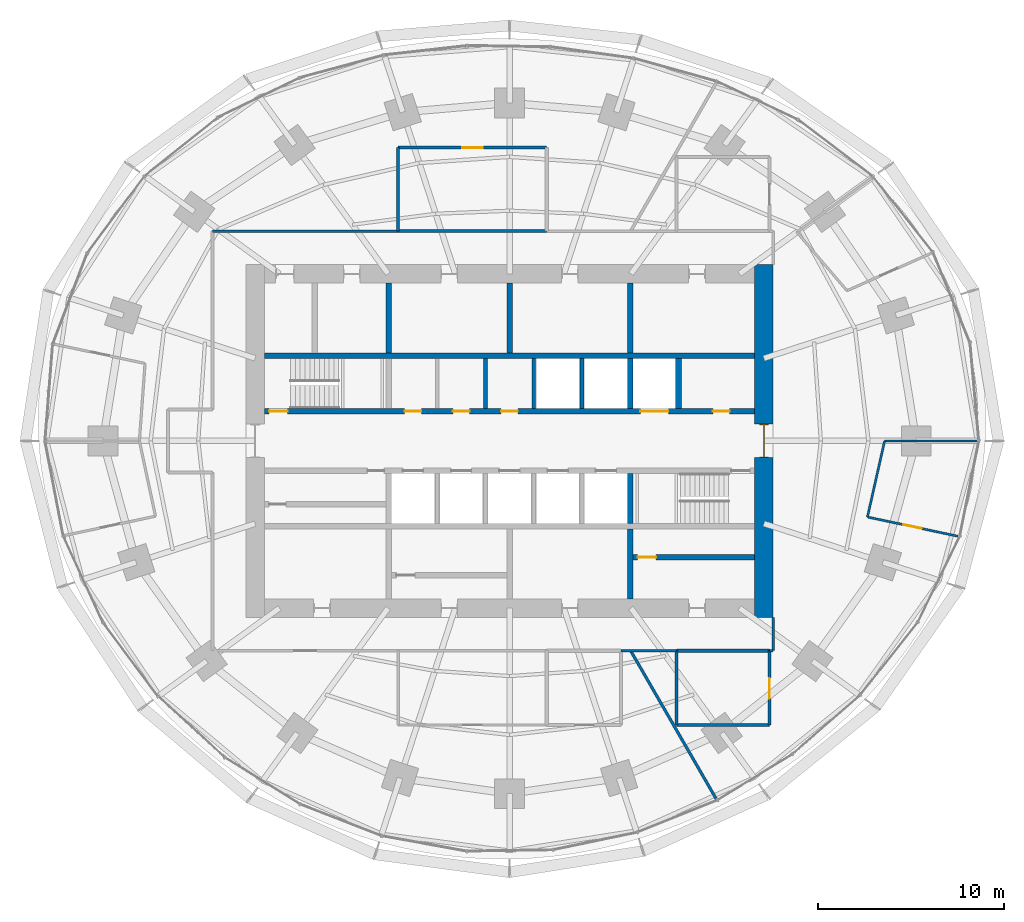
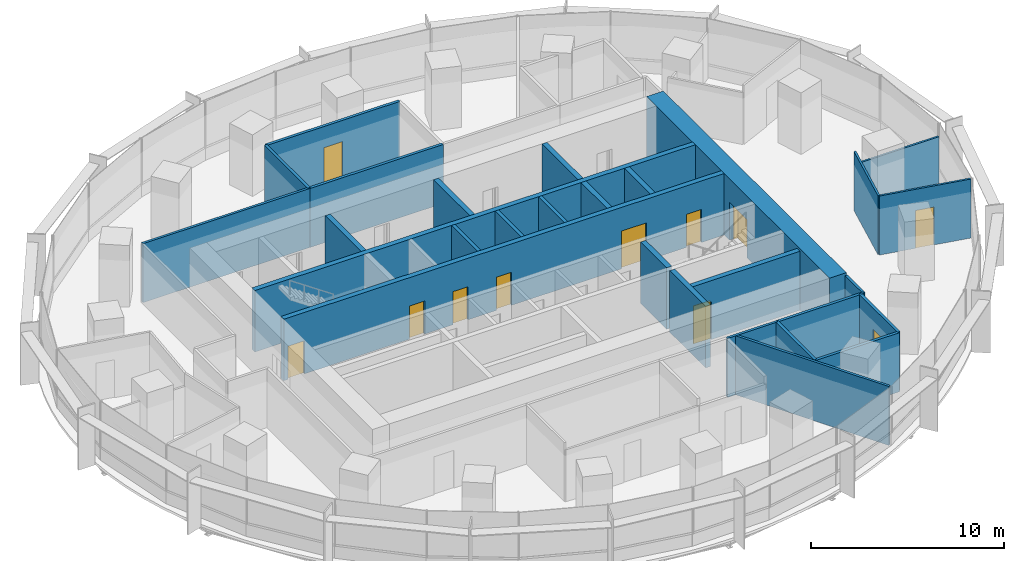
# One storey, part 11 of 14: 29 walls, 11 doors, 11 openings.
"""IFC4 building model written with IfcOpenShell, lengths in metres."""

from ifc_helpers import new_model, si_unit, direction, frame, frame_2d, origin, place, context, subcontext, project, spatial, rectangle, extrude, material, layer, layer_set, type_object, element, fill, save


model = new_model("IFC4")

# Units and contexts
model_context = context("Model", 3, precision=1e-05, world=origin(), true_north=direction((0.0, 1.0)))
body_context = subcontext(model_context, "Body", "Model", "MODEL_VIEW")
ifc_project = project(units=[si_unit("LENGTHUNIT", "METRE"), si_unit("AREAUNIT", "SQUARE_METRE"), si_unit("VOLUMEUNIT", "CUBIC_METRE"), si_unit("PLANEANGLEUNIT", "RADIAN"), si_unit("MASSUNIT", "GRAM", prefix="KILO")], contexts=[model_context])

# Site, building, storey
site_placement = place(None, origin())
site = spatial("IfcSite", under=ifc_project, at=site_placement, CompositionType="ELEMENT")
building_placement = place(site_placement, origin())
building = spatial("IfcBuilding", under=site, at=building_placement, Name="Marramba Exchange Tower", CompositionType="ELEMENT")
storey_placement = place(building_placement, frame((0.0, 0.0, 147.0)))
storey = spatial("IfcBuildingStorey", under=building, at=storey_placement, Name="L35", CompositionType="ELEMENT", Elevation=147.0)

# Walls
ifc_material_1 = material(Name="Plasterboard on staggered double steel studs, acoustic insulation", Category="steel")
ifc_layer_1 = layer(ifc_material_1, 0.169921875)
ifc_layer_set_1 = layer_set([ifc_layer_1], Name="Acoustic partition 170")
wall_type_1 = type_object("IfcWallType", Name="Acoustic partition 170", PredefinedType="PARTITIONING", material=ifc_layer_set_1)
wall_1_placement = place(storey_placement, frame((9.0, -11.300048828125, 0.0), z_axis=(0.0, 0.0, 1.0), x_axis=(0.0, -1.0, 0.0)))
element("IfcWall", 1, at=wall_1_placement, inside=storey, type_object=wall_type_1, Name="Acoustic partition L35 14", PredefinedType="PARTITIONING", context=body_context, shape_type="SweptSolid", body=[
    extrude(rectangle(XDim=4.0, YDim=0.169921875, at=frame_2d((2.0, 0.0))), origin(), (0.0, 0.0, 1.0), 3.739990234375),
])
for number, where, z_axis, x_axis, name in (
    (2, (9.0, -15.300048828125, 0.0), (0.0, 0.0, 1.0), (1.0, 0.0, 0.0), "Acoustic partition L35 15"),
    (3, (14.0, -11.300048828125, 0.0), (0.0, 0.0, 1.0), (-1.0, 0.0, 0.0), "Acoustic partition L35 16"),
):
    element("IfcWall", number, at=place(storey_placement, frame(where, z_axis=z_axis, x_axis=x_axis)), inside=storey, type_object=wall_type_1, Name=name, PredefinedType="PARTITIONING", context=body_context, shape_type="SweptSolid", body=[
        extrude(rectangle(XDim=5.0, YDim=0.169921875, at=frame_2d((2.5, 0.0))), origin(), (0.0, 0.0, 1.0), 3.739990234375),
    ])

# Wall, opening, door
wall_2_placement = place(storey_placement, frame((14.0, -15.300048828125, 0.0), z_axis=(0.0, 0.0, 1.0), x_axis=(0.0, 1.0, 0.0)))
wall_2 = element("IfcWall", 4, at=wall_2_placement, inside=storey, type_object=wall_type_1, Name="Acoustic partition L35 17", PredefinedType="PARTITIONING", context=body_context, shape_type="SweptSolid", body=[
    extrude(rectangle(XDim=4.0, YDim=0.169921875, at=frame_2d((2.0, 0.0))), origin(), (0.0, 0.0, 1.0), 3.739990234375),
])
opening_1_placement = place(wall_2_placement, frame((1.424072265625, 0.0, 0.0)))
opening_1 = element("IfcOpeningElement", 5, at=opening_1_placement, cuts=wall_2, Name="Opening D15", PredefinedType="OPENING", context=body_context, shape_type="SweptSolid", body=[
    extrude(rectangle(XDim=1.10009765625, YDim=2.39990234375, at=frame_2d((0.550048828125, 1.199951171875))), frame((0.0, 0.094970703125, 0.0), z_axis=(0.0, -1.0, 0.0), x_axis=(1.0, 0.0, 0.0)), (0.0, 0.0, 1.0), 0.18994140625),
])
ifc_material_2 = material(Name="Timber door", Category="wood")
door_type_1 = type_object("IfcDoorType", Name="Glazed meeting room door 1100x2400", OperationType="SINGLE_SWING_LEFT", PredefinedType="DOOR", material=ifc_material_2)
door_1_placement = place(opening_1_placement, origin())
door_1 = element("IfcDoor", 6, at=door_1_placement, inside=storey, type_object=door_type_1, Name="D15 Meeting Room 2 L35", OperationType="SINGLE_SWING_LEFT", OverallHeight=2.39990234375, OverallWidth=1.10009765625, PredefinedType="DOOR", context=body_context, shape_type="SweptSolid", body=[
    extrude(rectangle(XDim=1.10009765625, YDim=2.39990234375, at=frame_2d((0.550048828125, 1.199951171875))), frame((0.0, 0.02490234375, 0.0), z_axis=(0.0, -1.0, 0.0), x_axis=(1.0, 0.0, 0.0)), (0.0, 0.0, 1.0), 0.050048828125),
])
fill(opening_1, door_1)

wall_3_placement = place(storey_placement, frame((2.0, 15.800048828125, 0.0), z_axis=(0.0, 0.0, 1.0), x_axis=(-1.0, 0.0, 0.0)))
wall_3 = element("IfcWall", 7, at=wall_3_placement, inside=storey, type_object=wall_type_1, Name="Acoustic partition L35 35", PredefinedType="PARTITIONING", context=body_context, shape_type="SweptSolid", body=[
    extrude(rectangle(XDim=8.0, YDim=0.169921875, at=frame_2d((4.0, 0.0))), origin(), (0.0, 0.0, 1.0), 3.739990234375),
])
opening_2_placement = place(wall_3_placement, frame((3.449951171875, 0.0, 0.0)))
opening_2 = element("IfcOpeningElement", 8, at=opening_2_placement, cuts=wall_3, Name="Opening D15", PredefinedType="OPENING", context=body_context, shape_type="SweptSolid", body=[
    extrude(rectangle(XDim=1.10009765625, YDim=2.39990234375, at=frame_2d((0.550048828125, 1.199951171875))), frame((0.0, 0.094970703125, 0.0), z_axis=(0.0, -1.0, 0.0), x_axis=(1.0, 0.0, 0.0)), (0.0, 0.0, 1.0), 0.18994140625),
])
door_2_placement = place(opening_2_placement, origin())
door_2 = element("IfcDoor", 9, at=door_2_placement, inside=storey, type_object=door_type_1, Name="D15 Meeting Room 3 L35", OperationType="SINGLE_SWING_RIGHT", OverallHeight=2.39990234375, OverallWidth=1.10009765625, PredefinedType="DOOR", context=body_context, shape_type="SweptSolid", body=[
    extrude(rectangle(XDim=1.10009765625, YDim=2.39990234375, at=frame_2d((0.550048828125, 1.199951171875))), frame((0.0, 0.02490234375, 0.0), z_axis=(0.0, -1.0, 0.0), x_axis=(1.0, 0.0, 0.0)), (0.0, 0.0, 1.0), 0.050048828125),
])
fill(opening_2, door_2)

# Walls
wall_4_placement = place(storey_placement, frame((-6.0, 11.300048828125, 0.0), z_axis=(0.0, 0.0, 1.0), x_axis=(1.0, 0.0, 0.0)))
element("IfcWall", 10, at=wall_4_placement, inside=storey, type_object=wall_type_1, Name="Acoustic partition L35 36", PredefinedType="PARTITIONING", context=body_context, shape_type="SweptSolid", body=[
    extrude(rectangle(XDim=8.0, YDim=0.169921875, at=frame_2d((4.0, 0.0))), origin(), (0.0, 0.0, 1.0), 3.739990234375),
])
wall_5_placement = place(storey_placement, frame((-6.0, 15.800048828125, 0.0), z_axis=(0.0, 0.0, 1.0), x_axis=(0.0, -1.0, 0.0)))
element("IfcWall", 11, at=wall_5_placement, inside=storey, type_object=wall_type_1, Name="Acoustic partition L35 37", PredefinedType="PARTITIONING", context=body_context, shape_type="SweptSolid", body=[
    extrude(rectangle(XDim=4.5, YDim=0.169921875, at=frame_2d((2.25, 0.0))), origin(), (0.0, 0.0, 1.0), 3.739990234375),
])
ifc_material_3 = material(Name="Concrete N50", Category="concrete")
ifc_layer_2 = layer(ifc_material_3, 0.199951171875)
ifc_layer_set_2 = layer_set([ifc_layer_2], Name="Core shaft wall 200")
wall_type_2 = type_object("IfcWallType", Name="Core shaft wall 200", PredefinedType="SHEAR", material=ifc_layer_set_2)
for number, where, z_axis, x_axis, name in (
    (12, (-1.300048828125, 1.75, 0.0), (0.0, 0.0, 1.0), (0.0, 1.0, 0.0), "Core wall SHN2 L35"),
    (13, (1.300048828125, 1.75, 0.0), (0.0, 0.0, 1.0), (0.0, 1.0, 0.0), "Core wall SHN3 L35"),
    (14, (3.89990234375, 1.75, 0.0), (0.0, 0.0, 1.0), (0.0, 1.0, 0.0), "Core wall SHN4 L35"),
):
    element("IfcWall", number, at=place(storey_placement, frame(where, z_axis=z_axis, x_axis=x_axis)), inside=storey, type_object=wall_type_2, Name=name, PredefinedType="SHEAR", context=body_context, shape_type="SweptSolid", body=[
        extrude(rectangle(XDim=2.699951171875, YDim=0.199951171875, at=frame_2d((1.35009765625, 0.0))), origin(), (0.0, 0.0, 1.0), 3.89990234375),
    ])

# Wall, opening, door
ifc_layer_3 = layer(ifc_material_3, 1.0)
ifc_layer_set_3 = layer_set([ifc_layer_3], Name="Core wall 1000")
wall_type_3 = type_object("IfcWallType", Name="Core wall 1000", PredefinedType="SHEAR", material=ifc_layer_set_3)
wall_6_placement = place(storey_placement, frame((13.699951171875, -9.5, 0.0), z_axis=(0.0, 0.0, 1.0), x_axis=(0.0, 1.0, 0.0)))
wall_6 = element("IfcWall", 15, at=wall_6_placement, inside=storey, type_object=wall_type_3, Name="Core wall E L35", PredefinedType="SHEAR", context=body_context, shape_type="SweptSolid", body=[
    extrude(rectangle(XDim=19.0, YDim=1.0, at=frame_2d((9.5, 0.0))), origin(), (0.0, 0.0, 1.0), 3.89990234375),
])
opening_3_placement = place(wall_6_placement, frame((8.60009765625, 0.0, 0.0)))
opening_3 = element("IfcOpeningElement", 16, at=opening_3_placement, cuts=wall_6, Name="Opening D1", PredefinedType="OPENING", context=body_context, shape_type="SweptSolid", body=[
    extrude(rectangle(XDim=1.800048828125, YDim=2.39990234375, at=frame_2d((0.89990234375, 1.199951171875))), frame((0.0, 0.510009765625, 0.0), z_axis=(0.0, -1.0, 0.0), x_axis=(1.0, 0.0, 0.0)), (0.0, 0.0, 1.0), 1.02001953125),
])
ifc_material_4 = material(Name="Steel-framed door", Category="steel")
door_type_2 = type_object("IfcDoorType", Name="Lobby exit door 1800x2400", OperationType="DOUBLE_DOOR_SINGLE_SWING", PredefinedType="DOOR", material=ifc_material_4)
door_3_placement = place(opening_3_placement, origin())
door_3 = element("IfcDoor", 17, at=door_3_placement, inside=storey, type_object=door_type_2, Name="D1 lobby exit east L35", OperationType="DOUBLE_DOOR_SINGLE_SWING", OverallHeight=2.39990234375, OverallWidth=1.800048828125, PredefinedType="DOOR", context=body_context, shape_type="SweptSolid", body=[
    extrude(rectangle(XDim=1.719970703125, YDim=2.35986328125, at=frame_2d((0.89990234375, 1.179931640625))), frame((0.0, 0.02490234375, 0.0), z_axis=(0.0, -1.0, 0.0), x_axis=(1.0, 0.0, 0.0)), (0.0, 0.0, 1.0), 0.050048828125),
    extrude(rectangle(XDim=0.04, YDim=2.39990234375, at=frame_2d((0.02001953125, 1.199951171875))), frame((0.0, 0.25, 0.0), z_axis=(0.0, -1.0, 0.0), x_axis=(1.0, 0.0, 0.0)), (0.0, 0.0, 1.0), 0.5),
    extrude(rectangle(XDim=0.04, YDim=2.39990234375, at=frame_2d((1.780029296875, 1.199951171875))), frame((0.0, 0.25, 0.0), z_axis=(0.0, -1.0, 0.0), x_axis=(1.0, 0.0, 0.0)), (0.0, 0.0, 1.0), 0.5),
    extrude(rectangle(XDim=1.719970703125, YDim=0.04, at=frame_2d((0.89990234375, 2.3798828125))), frame((0.0, 0.25, 0.0), z_axis=(0.0, -1.0, 0.0), x_axis=(1.0, 0.0, 0.0)), (0.0, 0.0, 1.0), 0.5),
])
fill(opening_3, door_3)

# Wall, openings, doors
ifc_layer_4 = layer(ifc_material_3, 0.300048828125)
ifc_layer_set_4 = layer_set([ifc_layer_4], Name="Core wall 300")
wall_type_4 = type_object("IfcWallType", Name="Core wall 300", PredefinedType="SHEAR", material=ifc_layer_set_4)
wall_7_placement = place(storey_placement, frame((-13.199951171875, 1.60009765625, 0.0), z_axis=(0.0, 0.0, 1.0), x_axis=(1.0, 0.0, 0.0)))
wall_7 = element("IfcWall", 18, at=wall_7_placement, inside=storey, type_object=wall_type_4, Name="Core wall LN L35", PredefinedType="SHEAR", context=body_context, shape_type="SweptSolid", body=[
    extrude(rectangle(XDim=26.39990234375, YDim=0.300048828125, at=frame_2d((13.199951171875, 0.0))), origin(), (0.0, 0.0, 1.0), 3.89990234375),
])
opening_4_placement = place(wall_7_placement, frame((0.25, 0.0, 0.0)))
opening_4 = element("IfcOpeningElement", 19, at=opening_4_placement, cuts=wall_7, Name="Opening D2", PredefinedType="OPENING", context=body_context, shape_type="SweptSolid", body=[
    extrude(rectangle(XDim=1.0, YDim=2.10009765625, at=frame_2d((0.5, 1.050048828125))), frame((0.0, 0.159912109375, 0.0), z_axis=(0.0, -1.0, 0.0), x_axis=(1.0, 0.0, 0.0)), (0.0, 0.0, 1.0), 0.320068359375),
])
opening_5_placement = place(wall_7_placement, frame((20.25, 0.0, 0.0)))
opening_5 = element("IfcOpeningElement", 20, at=opening_5_placement, cuts=wall_7, Name="Opening LD3", PredefinedType="OPENING", context=body_context, shape_type="SweptSolid", body=[
    extrude(rectangle(XDim=1.5, YDim=2.39990234375, at=frame_2d((0.75, 1.199951171875))), frame((0.0, 0.159912109375, 0.0), z_axis=(0.0, -1.0, 0.0), x_axis=(1.0, 0.0, 0.0)), (0.0, 0.0, 1.0), 0.320068359375),
])
opening_6_placement = place(wall_7_placement, frame((7.550048828125, 0.0, 0.0)))
opening_6 = element("IfcOpeningElement", 21, at=opening_6_placement, cuts=wall_7, Name="Opening D5", PredefinedType="OPENING", context=body_context, shape_type="SweptSolid", body=[
    extrude(rectangle(XDim=0.89990234375, YDim=2.10009765625, at=frame_2d((0.449951171875, 1.050048828125))), frame((0.0, 0.159912109375, 0.0), z_axis=(0.0, -1.0, 0.0), x_axis=(1.0, 0.0, 0.0)), (0.0, 0.0, 1.0), 0.320068359375),
])
opening_7_placement = place(wall_7_placement, frame((10.14990234375, 0.0, 0.0)))
opening_7 = element("IfcOpeningElement", 22, at=opening_7_placement, cuts=wall_7, Name="Opening D5", PredefinedType="OPENING", context=body_context, shape_type="SweptSolid", body=[
    extrude(rectangle(XDim=0.89990234375, YDim=2.10009765625, at=frame_2d((0.449951171875, 1.050048828125))), frame((0.0, 0.159912109375, 0.0), z_axis=(0.0, -1.0, 0.0), x_axis=(1.0, 0.0, 0.0)), (0.0, 0.0, 1.0), 0.320068359375),
])
opening_8_placement = place(wall_7_placement, frame((12.75, 0.0, 0.0)))
opening_8 = element("IfcOpeningElement", 23, at=opening_8_placement, cuts=wall_7, Name="Opening D5", PredefinedType="OPENING", context=body_context, shape_type="SweptSolid", body=[
    extrude(rectangle(XDim=0.89990234375, YDim=2.10009765625, at=frame_2d((0.449951171875, 1.050048828125))), frame((0.0, 0.159912109375, 0.0), z_axis=(0.0, -1.0, 0.0), x_axis=(1.0, 0.0, 0.0)), (0.0, 0.0, 1.0), 0.320068359375),
])
opening_9_placement = place(wall_7_placement, frame((24.14990234375, 0.0, 0.0)))
opening_9 = element("IfcOpeningElement", 24, at=opening_9_placement, cuts=wall_7, Name="Opening D5", PredefinedType="OPENING", context=body_context, shape_type="SweptSolid", body=[
    extrude(rectangle(XDim=0.89990234375, YDim=2.10009765625, at=frame_2d((0.449951171875, 1.050048828125))), frame((0.0, 0.159912109375, 0.0), z_axis=(0.0, -1.0, 0.0), x_axis=(1.0, 0.0, 0.0)), (0.0, 0.0, 1.0), 0.320068359375),
])
door_type_3 = type_object("IfcDoorType", Name="Goods lift landing door 1500x2400", OperationType="SLIDING_TO_LEFT", PredefinedType="DOOR", material=ifc_material_4)
door_4_placement = place(opening_5_placement, origin())
door_4 = element("IfcDoor", 25, at=door_4_placement, inside=storey, type_object=door_type_3, Name="GL1 landing door L35", OperationType="SLIDING_TO_LEFT", OverallHeight=2.39990234375, OverallWidth=1.5, PredefinedType="DOOR", context=body_context, shape_type="SweptSolid", body=[
    extrude(rectangle(XDim=1.5, YDim=2.39990234375, at=frame_2d((0.75, 1.199951171875))), frame((0.0, 0.02490234375, 0.0), z_axis=(0.0, -1.0, 0.0), x_axis=(1.0, 0.0, 0.0)), (0.0, 0.0, 1.0), 0.050048828125),
])
fill(opening_5, door_4)
door_type_4 = type_object("IfcDoorType", Name="Service door 900x2100", OperationType="SINGLE_SWING_LEFT", PredefinedType="DOOR", material=ifc_material_4)
door_5_placement = place(opening_6_placement, origin())
door_5 = element("IfcDoor", 26, at=door_5_placement, inside=storey, type_object=door_type_4, Name="D5 switch room L35", OperationType="SINGLE_SWING_RIGHT", OverallHeight=2.10009765625, OverallWidth=0.89990234375, PredefinedType="DOOR", context=body_context, shape_type="SweptSolid", body=[
    extrude(rectangle(XDim=0.89990234375, YDim=2.10009765625, at=frame_2d((0.449951171875, 1.050048828125))), frame((0.0, 0.02490234375, 0.0), z_axis=(0.0, -1.0, 0.0), x_axis=(1.0, 0.0, 0.0)), (0.0, 0.0, 1.0), 0.050048828125),
])
fill(opening_6, door_5)
door_6_placement = place(opening_7_placement, origin())
door_6 = element("IfcDoor", 27, at=door_6_placement, inside=storey, type_object=door_type_4, Name="D5 recycling room L35", OperationType="SINGLE_SWING_RIGHT", OverallHeight=2.10009765625, OverallWidth=0.89990234375, PredefinedType="DOOR", context=body_context, shape_type="SweptSolid", body=[
    extrude(rectangle(XDim=0.89990234375, YDim=2.10009765625, at=frame_2d((0.449951171875, 1.050048828125))), frame((0.0, 0.02490234375, 0.0), z_axis=(0.0, -1.0, 0.0), x_axis=(1.0, 0.0, 0.0)), (0.0, 0.0, 1.0), 0.050048828125),
])
fill(opening_7, door_6)
door_7_placement = place(opening_8_placement, origin())
door_7 = element("IfcDoor", 28, at=door_7_placement, inside=storey, type_object=door_type_4, Name="D5 general store L35", OperationType="SINGLE_SWING_RIGHT", OverallHeight=2.10009765625, OverallWidth=0.89990234375, PredefinedType="DOOR", context=body_context, shape_type="SweptSolid", body=[
    extrude(rectangle(XDim=0.89990234375, YDim=2.10009765625, at=frame_2d((0.449951171875, 1.050048828125))), frame((0.0, 0.02490234375, 0.0), z_axis=(0.0, -1.0, 0.0), x_axis=(1.0, 0.0, 0.0)), (0.0, 0.0, 1.0), 0.050048828125),
])
fill(opening_8, door_7)
door_8_placement = place(opening_9_placement, origin())
door_8 = element("IfcDoor", 29, at=door_8_placement, inside=storey, type_object=door_type_4, Name="D5 riser L35", OperationType="SINGLE_SWING_RIGHT", OverallHeight=2.10009765625, OverallWidth=0.89990234375, PredefinedType="DOOR", context=body_context, shape_type="SweptSolid", body=[
    extrude(rectangle(XDim=0.89990234375, YDim=2.10009765625, at=frame_2d((0.449951171875, 1.050048828125))), frame((0.0, 0.02490234375, 0.0), z_axis=(0.0, -1.0, 0.0), x_axis=(1.0, 0.0, 0.0)), (0.0, 0.0, 1.0), 0.050048828125),
])
fill(opening_9, door_8)
door_type_5 = type_object("IfcDoorType", Name="Stair door 1000x2100", OperationType="SINGLE_SWING_LEFT", PredefinedType="DOOR", material=ifc_material_4)
door_9_placement = place(opening_4_placement, origin())
door_9 = element("IfcDoor", 30, at=door_9_placement, inside=storey, type_object=door_type_5, Name="D2 stair ST1 L35", OperationType="SINGLE_SWING_LEFT", OverallHeight=2.10009765625, OverallWidth=1.0, PredefinedType="DOOR", context=body_context, shape_type="SweptSolid", body=[
    extrude(rectangle(XDim=1.0, YDim=2.10009765625, at=frame_2d((0.5, 1.050048828125))), frame((0.0, 0.02490234375, 0.0), z_axis=(0.0, -1.0, 0.0), x_axis=(1.0, 0.0, 0.0)), (0.0, 0.0, 1.0), 0.050048828125),
])
fill(opening_4, door_9)

# Walls
wall_8_placement = place(storey_placement, frame((-13.199951171875, 4.60009765625, 0.0), z_axis=(0.0, 0.0, 1.0), x_axis=(1.0, 0.0, 0.0)))
element("IfcWall", 31, at=wall_8_placement, inside=storey, type_object=wall_type_4, Name="Core wall BN L35", PredefinedType="SHEAR", context=body_context, shape_type="SweptSolid", body=[
    extrude(rectangle(XDim=26.39990234375, YDim=0.300048828125, at=frame_2d((13.199951171875, 0.0))), origin(), (0.0, 0.0, 1.0), 3.89990234375),
])
wall_9_placement = place(storey_placement, frame((-6.5, 4.75, 0.0), z_axis=(0.0, 0.0, 1.0), x_axis=(0.0, 1.0, 0.0)))
element("IfcWall", 32, at=wall_9_placement, inside=storey, type_object=wall_type_4, Name="Core wall X0Nb L35", PredefinedType="SHEAR", context=body_context, shape_type="SweptSolid", body=[
    extrude(rectangle(XDim=3.75, YDim=0.300048828125, at=frame_2d((1.875, 0.0))), origin(), (0.0, 0.0, 1.0), 3.89990234375),
])
wall_10_placement = place(storey_placement, frame((6.5, 1.75, 0.0), z_axis=(0.0, 0.0, 1.0), x_axis=(0.0, 1.0, 0.0)))
element("IfcWall", 33, at=wall_10_placement, inside=storey, type_object=wall_type_4, Name="Core wall X1Na L35", PredefinedType="SHEAR", context=body_context, shape_type="SweptSolid", body=[
    extrude(rectangle(XDim=2.699951171875, YDim=0.300048828125, at=frame_2d((1.35009765625, 0.0))), origin(), (0.0, 0.0, 1.0), 3.89990234375),
])
for number, where, z_axis, x_axis, name in (
    (34, (6.5, 4.75, 0.0), (0.0, 0.0, 1.0), (0.0, 1.0, 0.0), "Core wall X1Nb L35"),
    (35, (0.0, 4.75, 0.0), (0.0, 0.0, 1.0), (0.0, 1.0, 0.0), "Core wall MN L35"),
):
    element("IfcWall", number, at=place(storey_placement, frame(where, z_axis=z_axis, x_axis=x_axis)), inside=storey, type_object=wall_type_4, Name=name, PredefinedType="SHEAR", context=body_context, shape_type="SweptSolid", body=[
        extrude(rectangle(XDim=3.75, YDim=0.300048828125, at=frame_2d((1.875, 0.0))), origin(), (0.0, 0.0, 1.0), 3.89990234375),
    ])
wall_11_placement = place(storey_placement, frame((6.5, -1.75, 0.0), z_axis=(0.0, 0.0, 1.0), x_axis=(0.0, -1.0, 0.0)))
element("IfcWall", 36, at=wall_11_placement, inside=storey, type_object=wall_type_4, Name="Core wall X1Sa L35", PredefinedType="SHEAR", context=body_context, shape_type="SweptSolid", body=[
    extrude(rectangle(XDim=2.699951171875, YDim=0.300048828125, at=frame_2d((1.35009765625, 0.0))), origin(), (0.0, 0.0, 1.0), 3.89990234375),
])
wall_12_placement = place(storey_placement, frame((6.5, -4.75, 0.0), z_axis=(0.0, 0.0, 1.0), x_axis=(0.0, -1.0, 0.0)))
element("IfcWall", 37, at=wall_12_placement, inside=storey, type_object=wall_type_4, Name="Core wall X1Sb L35", PredefinedType="SHEAR", context=body_context, shape_type="SweptSolid", body=[
    extrude(rectangle(XDim=3.75, YDim=0.300048828125, at=frame_2d((1.875, 0.0))), origin(), (0.0, 0.0, 1.0), 3.89990234375),
])
wall_13_placement = place(storey_placement, frame((9.10009765625, 1.75, 0.0), z_axis=(0.0, 0.0, 1.0), x_axis=(0.0, 1.0, 0.0)))
element("IfcWall", 38, at=wall_13_placement, inside=storey, type_object=wall_type_4, Name="Core wall ED L35", PredefinedType="SHEAR", context=body_context, shape_type="SweptSolid", body=[
    extrude(rectangle(XDim=2.699951171875, YDim=0.300048828125, at=frame_2d((1.35009765625, 0.0))), origin(), (0.0, 0.0, 1.0), 3.89990234375),
])

# Wall, opening, door
ifc_material_5 = material(Name="Plasterboard on steel studs", Category="steel")
ifc_layer_5 = layer(ifc_material_5, 0.1201171875)
ifc_layer_set_5 = layer_set([ifc_layer_5], Name="Partition 120")
wall_type_5 = type_object("IfcWallType", Name="Partition 120", PredefinedType="PARTITIONING", material=ifc_layer_set_5)
wall_14_placement = place(storey_placement, frame((19.277099609375, -4.097412109375, 0.0), z_axis=(0.0, 0.0, 1.0), x_axis=(0.978149046495, -0.207904888932, 0.0)))
wall_14 = element("IfcWall", 39, at=wall_14_placement, inside=storey, type_object=wall_type_5, Name="Partition L35 20", PredefinedType="PARTITIONING", context=body_context, shape_type="SweptSolid", body=[
    extrude(rectangle(XDim=5.000244140625, YDim=0.1201171875, at=frame_2d((2.5, 0.0))), origin(), (0.0, 0.0, 1.0), 3.739990234375),
])
opening_10_placement = place(wall_14_placement, frame((1.97509765625, 0.0, 0.0)))
opening_10 = element("IfcOpeningElement", 40, at=opening_10_placement, cuts=wall_14, Name="Opening D9", PredefinedType="OPENING", context=body_context, shape_type="SweptSolid", body=[
    extrude(rectangle(XDim=1.0, YDim=2.39990234375, at=frame_2d((0.5, 1.199951171875))), frame((0.0, 0.070068359375, 0.0), z_axis=(0.0, -1.0, 0.0), x_axis=(1.0, 0.0, 0.0)), (0.0, 0.0, 1.0), 0.14013671875),
])
door_type_6 = type_object("IfcDoorType", Name="Room door 1000x2400", OperationType="SINGLE_SWING_LEFT", PredefinedType="DOOR", material=ifc_material_2)
door_10_placement = place(opening_10_placement, origin())
door_10 = element("IfcDoor", 41, at=door_10_placement, inside=storey, type_object=door_type_6, Name="D9 Office 2 L35", OperationType="SINGLE_SWING_LEFT", OverallHeight=2.39990234375, OverallWidth=1.0, PredefinedType="DOOR", context=body_context, shape_type="SweptSolid", body=[
    extrude(rectangle(XDim=1.0, YDim=2.39990234375, at=frame_2d((0.5, 1.199951171875))), frame((0.0, 0.02490234375, 0.0), z_axis=(0.0, -1.0, 0.0), x_axis=(1.0, 0.0, 0.0)), (0.0, 0.0, 1.0), 0.050048828125),
])
fill(opening_10, door_10)

# Walls
wall_15_placement = place(storey_placement, frame((20.201904296875, 0.0, 0.0), z_axis=(0.0, 0.0, 1.0), x_axis=(-0.220166321364, -0.975462347268, 0.0)))
element("IfcWall", 42, at=wall_15_placement, inside=storey, type_object=wall_type_5, Name="Partition L35 21", PredefinedType="PARTITIONING", context=body_context, shape_type="SweptSolid", body=[
    extrude(rectangle(XDim=4.200439453125, YDim=0.1201171875, at=frame_2d((2.10009765625, 0.0))), origin(), (0.0, 0.0, 1.0), 3.739990234375),
])
wall_16_placement = place(storey_placement, frame((25.201904296875, 0.0, 0.0), z_axis=(0.0, 0.0, 1.0), x_axis=(-1.0, 0.0, 0.0)))
element("IfcWall", 43, at=wall_16_placement, inside=storey, type_object=wall_type_5, Name="Partition L35 22", PredefinedType="PARTITIONING", context=body_context, shape_type="SweptSolid", body=[
    extrude(rectangle(XDim=5.0, YDim=0.1201171875, at=frame_2d((2.5, 0.0))), origin(), (0.0, 0.0, 1.0), 2.93994140625),
])

# Wall, opening, door
ifc_material_6 = material(Name="Plasterboard on steel studs, insulated, unrated", Category="steel")
ifc_layer_6 = layer(ifc_material_6, 0.300048828125)
ifc_layer_set_6 = layer_set([ifc_layer_6], Name="Store partition 300")
wall_type_6 = type_object("IfcWallType", Name="Store partition 300", PredefinedType="PARTITIONING", material=ifc_layer_set_6)
wall_17_placement = place(storey_placement, frame((6.64990234375, -6.27197265625, 0.0), z_axis=(0.0, 0.0, 1.0), x_axis=(1.0, 0.0, 0.0)))
wall_17 = element("IfcWall", 44, at=wall_17_placement, inside=storey, type_object=wall_type_6, Name="Store partition L35 cstore", PredefinedType="PARTITIONING", context=body_context, shape_type="SweptSolid", body=[
    extrude(rectangle(XDim=6.550048828125, YDim=0.300048828125, at=frame_2d((3.27490234375, 0.0))), origin(), (0.0, 0.0, 1.0), 3.739990234375),
])
opening_11_placement = place(wall_17_placement, frame((0.25, 0.0, 0.0)))
opening_11 = element("IfcOpeningElement", 45, at=opening_11_placement, cuts=wall_17, Name="Opening D9", PredefinedType="OPENING", context=body_context, shape_type="SweptSolid", body=[
    extrude(rectangle(XDim=1.0, YDim=2.39990234375, at=frame_2d((0.5, 1.199951171875))), frame((0.0, 0.159912109375, 0.0), z_axis=(0.0, -1.0, 0.0), x_axis=(1.0, 0.0, 0.0)), (0.0, 0.0, 1.0), 0.320068359375),
])
door_11_placement = place(opening_11_placement, origin())
door_11 = element("IfcDoor", 46, at=door_11_placement, inside=storey, type_object=door_type_6, Name="D9 general store L35", OperationType="SINGLE_SWING_LEFT", OverallHeight=2.39990234375, OverallWidth=1.0, PredefinedType="DOOR", context=body_context, shape_type="SweptSolid", body=[
    extrude(rectangle(XDim=1.0, YDim=2.39990234375, at=frame_2d((0.5, 1.199951171875))), frame((0.0, 0.02490234375, 0.0), z_axis=(0.0, -1.0, 0.0), x_axis=(1.0, 0.0, 0.0)), (0.0, 0.0, 1.0), 0.050048828125),
])
fill(opening_11, door_11)

# Walls
ifc_material_7 = material(Name="Fire-rated plasterboard on steel studs, acoustic insulation", Category="steel")
ifc_layer_7 = layer(ifc_material_7, 0.14990234375)
ifc_layer_set_7 = layer_set([ifc_layer_7], Name="Tenancy wall 150")
wall_type_7 = type_object("IfcWallType", Name="Tenancy wall 150", PredefinedType="PARTITIONING", material=ifc_layer_set_7)
wall_18_placement = place(storey_placement, frame((11.13671875, -19.289306640625, 0.0), z_axis=(0.0, 0.0, 1.0), x_axis=(-0.499995827671, 0.866027812666, 0.0)))
element("IfcWall", 47, at=wall_18_placement, inside=storey, type_object=wall_type_7, Name="Tenancy wall L35 12", PredefinedType="PARTITIONING", context=body_context, shape_type="SweptSolid", body=[
    extrude(rectangle(XDim=9.22509765625, YDim=0.14990234375, at=frame_2d((4.612548828125, 0.0))), origin(), (0.0, 0.0, 1.0), 3.739990234375),
])
wall_19_placement = place(storey_placement, frame((6.0, -11.300048828125, 0.0), z_axis=(0.0, 0.0, 1.0), x_axis=(1.0, 0.0, 0.0)))
element("IfcWall", 48, at=wall_19_placement, inside=storey, type_object=wall_type_7, Name="Tenancy wall L35 13", PredefinedType="PARTITIONING", context=body_context, shape_type="SweptSolid", body=[
    extrude(rectangle(XDim=3.0, YDim=0.14990234375, at=frame_2d((1.5, 0.0))), origin(), (0.0, 0.0, 1.0), 3.739990234375),
])
wall_20_placement = place(storey_placement, frame((14.0, -11.300048828125, 0.0), z_axis=(0.0, 0.0, 1.0), x_axis=(1.0, 0.0, 0.0)))
element("IfcWall", 49, at=wall_20_placement, inside=storey, type_object=wall_type_7, Name="Tenancy wall L35 18", PredefinedType="PARTITIONING", context=body_context, shape_type="SweptSolid", body=[
    extrude(rectangle(XDim=0.199951171875, YDim=0.14990234375, at=frame_2d((0.10009765625, 0.0))), origin(), (0.0, 0.0, 1.0), 3.739990234375),
])
wall_21_placement = place(storey_placement, frame((14.199951171875, -11.300048828125, 0.0), z_axis=(0.0, 0.0, 1.0), x_axis=(0.0, 1.0, 0.0)))
element("IfcWall", 50, at=wall_21_placement, inside=storey, type_object=wall_type_7, Name="Tenancy wall L35 19", PredefinedType="PARTITIONING", context=body_context, shape_type="SweptSolid", body=[
    extrude(rectangle(XDim=1.800048828125, YDim=0.14990234375, at=frame_2d((0.89990234375, 0.0))), origin(), (0.0, 0.0, 1.0), 3.739990234375),
])
wall_22_placement = place(storey_placement, frame((-6.0, 11.300048828125, 0.0), z_axis=(0.0, 0.0, 1.0), x_axis=(-1.0, 0.0, 0.0)))
element("IfcWall", 51, at=wall_22_placement, inside=storey, type_object=wall_type_7, Name="Tenancy wall L35 38", PredefinedType="PARTITIONING", context=body_context, shape_type="SweptSolid", body=[
    extrude(rectangle(XDim=10.0, YDim=0.14990234375, at=frame_2d((5.0, 0.0))), origin(), (0.0, 0.0, 1.0), 3.739990234375),
])

save(model, "model.ifc")
